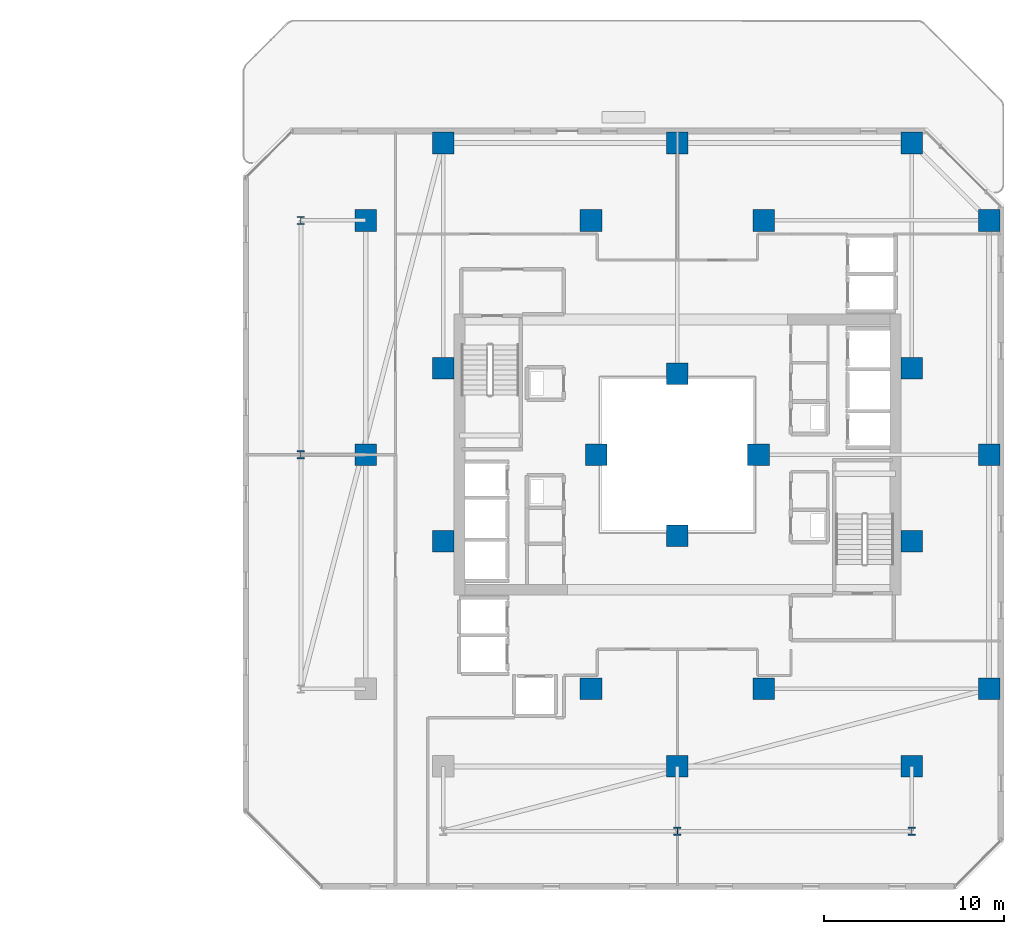
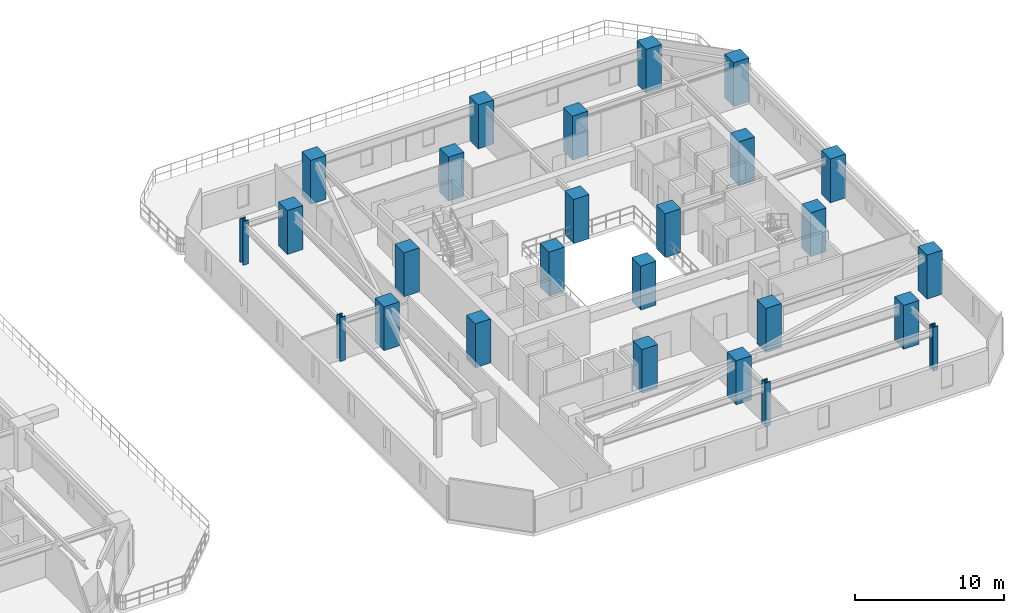
# One storey, part 2 of 33: 26 columns.
"""IFC4 building model written with IfcOpenShell, lengths in metres."""

import ifcopenshell
import ifcopenshell.guid

model = None  # the IFC model being written
_history = None  # IfcOwnerHistory: only IFC2X3 demands one
_inside = {}  # id of a spatial element -> (the spatial element, [elements in it])
_under = {}  # id of a project, library or spatial element -> (it, [spatial elements below it])
_declared = {}  # id of a project -> (the project, [libraries it declares])
_typed = {}  # id of a type object -> (the type object, [elements of that type])
_made_of = {}  # id of a material, layer set ... -> (it, [elements and type objects made of it])


def new_model(schema):
    """Start an empty IFC model of exactly this schema.

    Asked for "IFC4X3", IfcOpenShell would pick the latest addendum, in which some entities
    have other attributes; the version numbers below select the first issue.
    IFC2X3 requires an IfcOwnerHistory on every rooted entity: one is made here for all.
    """
    global model, _history
    if schema == "IFC4X3":
        model = ifcopenshell.file(schema_version=(4, 3, 0, 0))
    else:
        model = ifcopenshell.file(schema=schema)
    _inside.clear()
    _under.clear()
    _declared.clear()
    _typed.clear()
    _made_of.clear()
    _history = None
    if model.schema == "IFC2X3":
        org = make("IfcOrganization", Name="unknown")
        user = make(
            "IfcPersonAndOrganization",
            ThePerson=make("IfcPerson", FamilyName="unknown"),
            TheOrganization=org,
        )
        app = make(
            "IfcApplication",
            ApplicationDeveloper=org,
            Version="unknown",
            ApplicationFullName="unknown",
            ApplicationIdentifier="unknown",
        )
        _history = make(
            "IfcOwnerHistory",
            OwningUser=user,
            OwningApplication=app,
            ChangeAction="ADDED",
            CreationDate=0,
        )
    return model


def make(cls, **values):
    """One entity of the class cls with the attributes given. An attribute that is None is left unset."""
    return model.create_entity(
        cls, **{name: value for name, value in values.items() if value is not None}
    )


def rooted(cls, **values):
    """An entity with a GlobalId (a new one), such as an element, a storey or a relation."""
    return make(cls, GlobalId=ifcopenshell.guid.new(), OwnerHistory=_history, **values)


def si_unit(unit_type, name, prefix=None):
    """IfcSIUnit, for example si_unit("LENGTHUNIT", "METRE", prefix="MILLI")."""
    return make("IfcSIUnit", UnitType=unit_type, Prefix=prefix, Name=name)


def assignment(units):
    """IfcUnitAssignment: the units of a project."""
    return None if units is None else make("IfcUnitAssignment", Units=units)


def point(xyz):
    """IfcCartesianPoint."""
    return None if xyz is None else make("IfcCartesianPoint", Coordinates=xyz)


def direction(xyz):
    """IfcDirection."""
    return None if xyz is None else make("IfcDirection", DirectionRatios=xyz)


def frame(location, z_axis=None, x_axis=None):
    """IfcAxis2Placement3D, a coordinate frame: its origin and axes. An axis left out is left unset."""
    return make(
        "IfcAxis2Placement3D",
        Location=point(location),
        Axis=direction(z_axis),
        RefDirection=direction(x_axis),
    )


def frame_2d(location, x_axis=None):
    """IfcAxis2Placement2D, a coordinate frame in the plane: its origin and x axis."""
    return make(
        "IfcAxis2Placement2D", Location=point(location), RefDirection=direction(x_axis)
    )


def origin():
    """The frame at (0, 0, 0) with its axes left unset."""
    return frame((0.0, 0.0, 0.0))


def origin_2d():
    """The frame at (0, 0) in the plane with its x axis left unset."""
    return frame_2d((0.0, 0.0))


def place(relative_to, where):
    """IfcLocalPlacement: puts the frame where relative to a parent placement (None: the world)."""
    return make(
        "IfcLocalPlacement", PlacementRelTo=relative_to, RelativePlacement=where
    )


def context(
    kind, dimensions, precision=None, world=None, true_north=None, identifier=None
):
    """IfcGeometricRepresentationContext, for example the 3D "Model" context."""
    return make(
        "IfcGeometricRepresentationContext",
        ContextIdentifier=identifier,
        ContextType=kind,
        CoordinateSpaceDimension=dimensions,
        Precision=precision,
        WorldCoordinateSystem=world,
        TrueNorth=true_north,
    )


def subcontext(parent, identifier, kind, view, scale=None):
    """IfcGeometricRepresentationSubContext, for example "Body" below "Model"."""
    return make(
        "IfcGeometricRepresentationSubContext",
        ContextIdentifier=identifier,
        ContextType=kind,
        ParentContext=parent,
        TargetScale=scale,
        TargetView=view,
    )


def project(units=None, contexts=None):
    """IfcProject with its units and contexts."""
    return rooted(
        "IfcProject",
        Name="project",
        RepresentationContexts=contexts,
        UnitsInContext=assignment(units),
    )


def spatial(cls, under=None, at=None, **own):
    """A site, building, storey or space (cls), placed at a placement, below another one or the project."""
    s = rooted(cls, ObjectPlacement=at, **own)
    if under is not None:
        _under.setdefault(under.id(), (under, []))[1].append(s)
    return s


def profile(cls, at=None, kind="AREA", **sizes):
    """A parametric profile (cls). Its sizes go by their IFC names, for example OverallWidth=200.0."""
    return make(cls, ProfileType=kind, Position=at, **sizes)


def rectangle(**sizes):
    """IfcRectangleProfileDef."""
    return profile("IfcRectangleProfileDef", **sizes)


def i_section(**sizes):
    """IfcIShapeProfileDef."""
    return profile("IfcIShapeProfileDef", **sizes)


def extrude(swept, where, along, depth):
    """IfcExtrudedAreaSolid: the profile swept, set in the frame where, extruded along a direction by depth."""
    return make(
        "IfcExtrudedAreaSolid",
        SweptArea=swept,
        Position=where,
        ExtrudedDirection=direction(along),
        Depth=depth,
    )


def shape(context_of_items, identifier, shape_type, items):
    """IfcShapeRepresentation: the items that make up one representation, for example the "Body"."""
    return make(
        "IfcShapeRepresentation",
        ContextOfItems=context_of_items,
        RepresentationIdentifier=identifier,
        RepresentationType=shape_type,
        Items=items,
    )


def material(Name=None, Category=None):
    """IfcMaterial."""
    return make("IfcMaterial", Name=Name, Category=Category)


def material_profile(
    of_material, cross_section, Name=None, Category=None, Priority=None
):
    """IfcMaterialProfile: a cross section and its material."""
    return make(
        "IfcMaterialProfile",
        Name=Name,
        Material=of_material,
        Profile=cross_section,
        Priority=Priority,
        Category=Category,
    )


def profile_set(profiles, Name=None, composite=None):
    """IfcMaterialProfileSet."""
    return make(
        "IfcMaterialProfileSet",
        Name=Name,
        MaterialProfiles=profiles,
        CompositeProfile=composite,
    )


def made_of(thing, what):
    """Note that an element or type object is made of a material, layer set ...; save() writes the relation."""
    if what is not None:
        _made_of.setdefault(what.id(), (what, []))[1].append(thing)
    return thing


def type_object(cls, material=None, **own):
    """A type object (cls), such as IfcWallType, which elements share."""
    return made_of(rooted(cls, **own), material)


def element(
    cls,
    number,
    at=None,
    inside=None,
    cuts=None,
    type_object=None,
    material=None,
    context=None,
    identifier="Body",
    shape_type=None,
    held_by="IfcProductDefinitionShape",
    body=None,
    shapes=None,
    **own,
):
    """One element of the class cls, such as IfcWall. Its Tag is "e" and its number.

    at: its placement. inside: the storey or other place that contains it. cuts: it is an
    opening in that element (IfcRelVoidsElement). A single representation is given by context,
    identifier, shape_type and body (its items); several are given by shapes. held_by: the class
    of the entity that holds the representations. save() writes the other relations.
    """
    e = rooted(cls, Tag="e%d" % number, ObjectPlacement=at, **own)
    if body is not None:
        shapes = [shape(context, identifier, shape_type, body)]
    if shapes is not None:
        e.Representation = make(held_by, Representations=shapes)
    if inside is not None:
        _inside.setdefault(inside.id(), (inside, []))[1].append(e)
    if cuts is not None:
        rooted(
            "IfcRelVoidsElement", RelatingBuildingElement=cuts, RelatedOpeningElement=e
        )
    if type_object is not None:
        _typed.setdefault(type_object.id(), (type_object, []))[1].append(e)
    return made_of(e, material)


def aggregate(whole, parts):
    """IfcRelAggregates: a whole, such as a stair, and the parts it consists of."""
    return rooted("IfcRelAggregates", RelatingObject=whole, RelatedObjects=parts)


def save(model, path):
    """Write the relations noted so far, then the file.

    IfcRelAggregates (storeys below a building ...), IfcRelContainedInSpatialStructure (elements
    in a storey), IfcRelDefinesByType, IfcRelAssociatesMaterial and IfcRelDeclares: one each for
    every whole, place, type object, material and project.
    """
    for whole, parts in _under.values():
        aggregate(whole, parts)
    for where, things in _inside.values():
        rooted(
            "IfcRelContainedInSpatialStructure",
            RelatedElements=things,
            RelatingStructure=where,
        )
    for kind, things in _typed.values():
        rooted("IfcRelDefinesByType", RelatedObjects=things, RelatingType=kind)
    for what, things in _made_of.values():
        rooted("IfcRelAssociatesMaterial", RelatedObjects=things, RelatingMaterial=what)
    for by, libraries in _declared.values():
        rooted("IfcRelDeclares", RelatingContext=by, RelatedDefinitions=libraries)
    model.write(path)


model = new_model("IFC4")

# Units and contexts
model_context = context("Model", 3, precision=1e-05, world=origin(), true_north=direction((0.0, 1.0)))
body_context = subcontext(model_context, "Body", "Model", "MODEL_VIEW")
ifc_project = project(units=[si_unit("LENGTHUNIT", "METRE"), si_unit("AREAUNIT", "SQUARE_METRE"), si_unit("VOLUMEUNIT", "CUBIC_METRE"), si_unit("PLANEANGLEUNIT", "RADIAN"), si_unit("MASSUNIT", "GRAM", prefix="KILO")], contexts=[model_context])

# Site, building, storey
site_placement = place(None, origin())
site = spatial("IfcSite", under=ifc_project, at=site_placement, CompositionType="ELEMENT")
building_placement = place(site_placement, origin())
building = spatial("IfcBuilding", under=site, at=building_placement, Name="Thornwick Lancets Civic Towers", CompositionType="ELEMENT")
storey_placement = place(building_placement, frame((0.0, 0.0, 98.10009765625)))
storey = spatial("IfcBuildingStorey", under=building, at=storey_placement, Name="L25", CompositionType="ELEMENT", Elevation=98.10009765625)

# Columns
ifc_material_1 = material(Name="Concrete C60/75", Category="concrete")
ifc_material_profile_1 = material_profile(ifc_material_1, rectangle(XDim=1.199951171875, YDim=1.199951171875, at=origin_2d()), Name="RC 1200x1200")
ifc_profile_set_1 = profile_set([ifc_material_profile_1], Name="Concrete C60/75")
column_type_1 = type_object("IfcColumnType", Name="COL_RC_1200", PredefinedType="COLUMN", material=ifc_profile_set_1)
for number, where, z_axis, x_axis, name in (
    (1, (105.800048828125, 14.0, 0.0), (0.0, 0.0, 1.0), (1.0, 0.0, 0.0), "L25 Spine Mega-Column B01"),
    (2, (105.800048828125, 27.0, 0.0), (0.0, 0.0, 1.0), (1.0, 0.0, 0.0), "L25 Spine Mega-Column B02"),
    (3, (105.800048828125, 40.0, 0.0), (0.0, 0.0, 1.0), (1.0, 0.0, 0.0), "L25 Spine Mega-Column B03"),
    (4, (101.5, 44.300048828125, 0.0), (0.0, 0.0, 1.0), (1.0, 0.0, 0.0), "L25 Spine Mega-Column B04"),
    (5, (88.5, 44.300048828125, 0.0), (0.0, 0.0, 1.0), (1.0, 0.0, 0.0), "L25 Spine Mega-Column B05"),
    (6, (75.5, 44.300048828125, 0.0), (0.0, 0.0, 1.0), (1.0, 0.0, 0.0), "L25 Spine Mega-Column B06"),
    (7, (71.199951171875, 27.0, 0.0), (0.0, 0.0, 1.0), (1.0, 0.0, 0.0), "L25 Spine Mega-Column B08"),
    (8, (71.199951171875, 40.0, 0.0), (0.0, 0.0, 1.0), (1.0, 0.0, 0.0), "L25 Spine Mega-Column B09"),
    (9, (101.5, 9.699951171875, 0.0), (0.0, 0.0, 1.0), (1.0, 0.0, 0.0), "L25 Spine Mega-Column B10"),
    (10, (88.5, 9.699951171875, 0.0), (0.0, 0.0, 1.0), (1.0, 0.0, 0.0), "L25 Spine Mega-Column B11"),
    (11, (93.300048828125, 14.0, 0.0), (0.0, 0.0, 1.0), (1.0, 0.0, 0.0), "L25 Spine Mega-Column B13"),
    (12, (93.300048828125, 40.0, 0.0), (0.0, 0.0, 1.0), (1.0, 0.0, 0.0), "L25 Spine Mega-Column B14"),
    (13, (83.699951171875, 14.0, 0.0), (0.0, 0.0, 1.0), (1.0, 0.0, 0.0), "L25 Spine Mega-Column B15"),
    (14, (83.699951171875, 40.0, 0.0), (0.0, 0.0, 1.0), (1.0, 0.0, 0.0), "L25 Spine Mega-Column B16"),
    (15, (101.5, 22.199951171875, 0.0), (0.0, 0.0, 1.0), (1.0, 0.0, 0.0), "L25 Spine Mega-Column B17"),
    (16, (101.5, 31.800048828125, 0.0), (0.0, 0.0, 1.0), (1.0, 0.0, 0.0), "L25 Spine Mega-Column B18"),
    (17, (75.5, 22.199951171875, 0.0), (0.0, 0.0, 1.0), (1.0, 0.0, 0.0), "L25 Spine Mega-Column B19"),
    (18, (75.5, 31.800048828125, 0.0), (0.0, 0.0, 1.0), (1.0, 0.0, 0.0), "L25 Spine Mega-Column B20"),
    (19, (93.0, 27.0, 0.0), (0.0, 0.0, 1.0), (1.0, 0.0, 0.0), "L25 Spine Mega-Column B21"),
    (20, (84.0, 27.0, 0.0), (0.0, 0.0, 1.0), (1.0, 0.0, 0.0), "L25 Spine Mega-Column B22"),
    (21, (88.5, 22.5, 0.0), (0.0, 0.0, 1.0), (1.0, 0.0, 0.0), "L25 Spine Mega-Column B23"),
    (22, (88.5, 31.5, 0.0), (0.0, 0.0, 1.0), (1.0, 0.0, 0.0), "L25 Spine Mega-Column B24"),
):
    element("IfcColumn", number, at=place(storey_placement, frame(where, z_axis=z_axis, x_axis=x_axis)), inside=storey, type_object=column_type_1, Name=name, PredefinedType="COLUMN", context=body_context, shape_type="SweptSolid", body=[
        extrude(rectangle(XDim=1.199951171875, YDim=1.199951171875, at=origin_2d()), origin(), (0.0, 0.0, 1.0), 3.599853515625),
    ])
ifc_material_2 = material(Name="Steel S460M", Category="steel")
ifc_material_profile_2 = material_profile(ifc_material_2, i_section(OverallWidth=0.41845703125, OverallDepth=0.45556640625, WebThickness=0.0419921875, FlangeThickness=0.0673828125, FilletRadius=0.01513671875, at=origin_2d()), Name="UKC 356x406x551")
ifc_profile_set_2 = profile_set([ifc_material_profile_2], Name="Steel S460M")
column_type_2 = type_object("IfcColumnType", Name="COL_UKC_551", PredefinedType="COLUMN", material=ifc_profile_set_2)
for number, where, z_axis, x_axis, name in (
    (23, (67.60009765625, 27.0, 0.0), (0.0, 0.0, 1.0), (1.0, 0.0, 0.0), "L25 Block Perimeter Column B08"),
    (24, (67.60009765625, 40.0, 0.0), (0.0, 0.0, 1.0), (1.0, 0.0, 0.0), "L25 Block Perimeter Column B09"),
    (25, (101.5, 6.10009765625, 0.0), (0.0, 0.0, 1.0), (1.0, 0.0, 0.0), "L25 Block Perimeter Column B10"),
    (26, (88.5, 6.10009765625, 0.0), (0.0, 0.0, 1.0), (1.0, 0.0, 0.0), "L25 Block Perimeter Column B11"),
):
    element("IfcColumn", number, at=place(storey_placement, frame(where, z_axis=z_axis, x_axis=x_axis)), inside=storey, type_object=column_type_2, Name=name, PredefinedType="COLUMN", context=body_context, shape_type="SweptSolid", body=[
        extrude(i_section(OverallWidth=0.41845703125, OverallDepth=0.45556640625, WebThickness=0.0419921875, FlangeThickness=0.0673828125, FilletRadius=0.01513671875, at=origin_2d()), origin(), (0.0, 0.0, 1.0), 3.599853515625),
    ])

save(model, "model.ifc")
